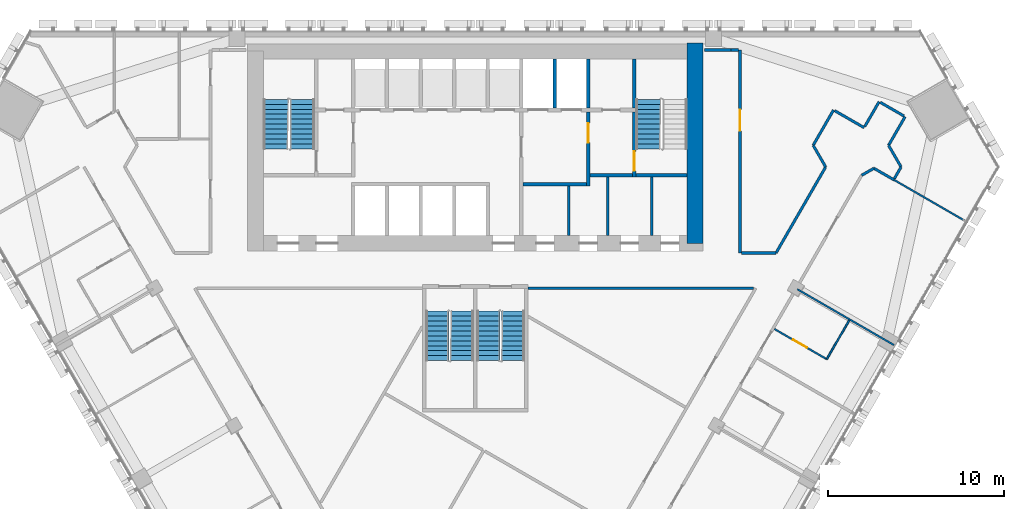
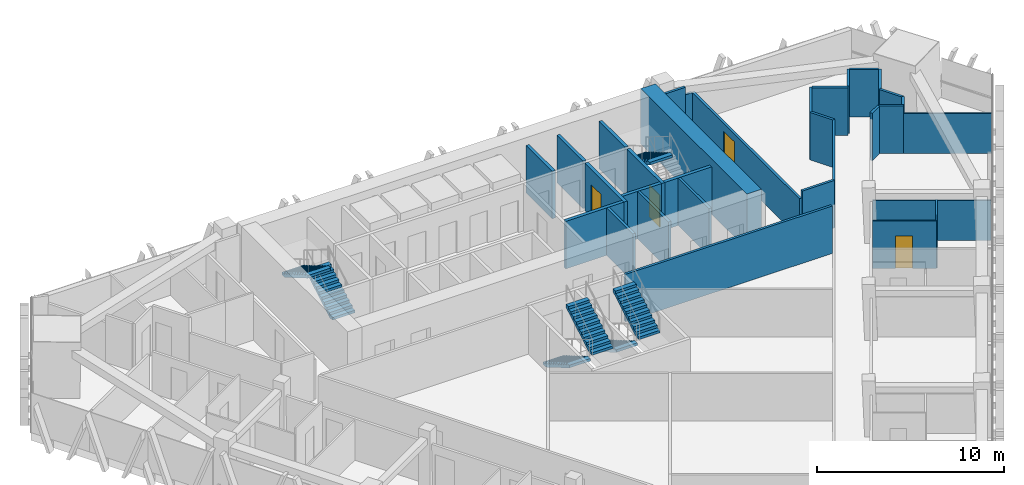
# One storey, part 12 of 16: 32 walls, 7 stair flights, 4 doors, 4 openings, 4 elements without a shape of their own.
"""IFC4 building model written with IfcOpenShell, lengths in metres."""

from ifc_helpers import new_model, si_unit, direction, frame, frame_2d, origin, place, context, subcontext, project, spatial, polyline, rectangle, outline, extrude, material, layer, layer_set, type_object, element, fill, aggregate, save


model = new_model("IFC4")

# Units and contexts
model_context = context("Model", 3, precision=1e-05, world=origin(), true_north=direction((0.0, 1.0)))
body_context = subcontext(model_context, "Body", "Model", "MODEL_VIEW")
ifc_project = project(units=[si_unit("LENGTHUNIT", "METRE"), si_unit("AREAUNIT", "SQUARE_METRE"), si_unit("VOLUMEUNIT", "CUBIC_METRE"), si_unit("PLANEANGLEUNIT", "RADIAN"), si_unit("MASSUNIT", "GRAM", prefix="KILO")], contexts=[model_context])

# Site, building, storey
site_placement = place(None, origin())
site = spatial("IfcSite", under=ifc_project, at=site_placement, CompositionType="ELEMENT")
building_placement = place(site_placement, origin())
building = spatial("IfcBuilding", under=site, at=building_placement, Name="Altiplano Prism Tower", CompositionType="ELEMENT")
storey_placement = place(building_placement, frame((0.0, 0.0, 77.39990234375)))
storey = spatial("IfcBuildingStorey", under=building, at=storey_placement, Name="L19", CompositionType="ELEMENT", Elevation=77.39990234375)

# Walls
ifc_material_1 = material(Name="Concrete C70/85", Category="concrete")
ifc_layer_1 = layer(ifc_material_1, 0.89990234375)
ifc_layer_set_1 = layer_set([ifc_layer_1], Name="Concrete C70/85")
wall_type_1 = type_object("IfcWallType", Name="Core wall 900", PredefinedType="SHEAR", material=ifc_layer_set_1)
wall_1_placement = place(storey_placement, frame((97.449951171875, 92.949951171875, 0.0), z_axis=(0.0, 0.0, 1.0), x_axis=(0.0, 1.0, 0.0)))
element("IfcWall", 1, at=wall_1_placement, inside=storey, type_object=wall_type_1, Name="Core wall E L19", PredefinedType="SHEAR", context=body_context, shape_type="SweptSolid", body=[
    extrude(rectangle(XDim=11.35009765625, YDim=0.89990234375, at=frame_2d((5.675048828125, 0.0))), origin(), (0.0, 0.0, 1.0), 3.60009765625),
])
ifc_material_2 = material(Name="Plasterboard on steel stud", Category="steel")
ifc_layer_2 = layer(ifc_material_2, 0.10009765625)
ifc_layer_set_2 = layer_set([ifc_layer_2], Name="Plasterboard on steel stud")
wall_type_2 = type_object("IfcWallType", Name="Partition 100 unit", PredefinedType="PARTITIONING", material=ifc_layer_set_2)
wall_2_placement = place(storey_placement, frame((106.193603515625, 88.587646484375, 0.0), z_axis=(0.0, 0.0, 1.0), x_axis=(-0.499990435942, -0.866030925526, 0.0)))
element("IfcWall", 2, at=wall_2_placement, inside=storey, type_object=wall_type_2, Name="Partition P02 L19 072", PredefinedType="PARTITIONING", context=body_context, shape_type="SweptSolid", body=[
    extrude(rectangle(XDim=2.5498046875, YDim=0.10009765625, at=frame_2d((1.27490234375, 0.0))), origin(), (0.0, 0.0, 1.0), 2.7001953125),
])

# Wall, opening, door
wall_3_placement = place(storey_placement, frame((104.918701171875, 86.37939453125, 0.0), z_axis=(0.0, 0.0, 1.0), x_axis=(-0.866050272892, 0.499956922968, 0.0)))
wall_3 = element("IfcWall", 3, at=wall_3_placement, inside=storey, type_object=wall_type_2, Name="Partition P02 L19 073", PredefinedType="PARTITIONING", context=body_context, shape_type="SweptSolid", body=[
    extrude(rectangle(XDim=3.425048828125, YDim=0.10009765625, at=frame_2d((1.71240234375, 0.0))), origin(), (0.0, 0.0, 1.0), 3.10009765625),
])
opening_1_placement = place(wall_3_placement, frame((1.300048828125, 0.0, 0.0)))
opening_1 = element("IfcOpeningElement", 4, at=opening_1_placement, cuts=wall_3, Name="Opening D0745", PredefinedType="OPENING", context=body_context, shape_type="SweptSolid", body=[
    extrude(rectangle(XDim=0.89990234375, YDim=2.10009765625, at=frame_2d((0.449951171875, 1.050048828125))), frame((0.0, 0.060546875, 0.0), z_axis=(0.0, -1.0, 0.0), x_axis=(1.0, 0.0, 0.0)), (0.0, 0.0, 1.0), 0.12109375),
])
ifc_material_3 = material(Name="Timber", Category="wood")
door_type_1 = type_object("IfcDoorType", Name="Accessible ensuite door 900 x 2100", OperationType="NOTDEFINED", PredefinedType="NOTDEFINED", material=ifc_material_3)
door_1_placement = place(opening_1_placement, origin())
door_1 = element("IfcDoor", 5, at=door_1_placement, inside=storey, type_object=door_type_1, Name="Door D0745", OperationType="SINGLE_SWING_RIGHT", OverallHeight=2.10009765625, OverallWidth=0.89990234375, PredefinedType="NOTDEFINED", context=body_context, shape_type="SweptSolid", body=[
    extrude(rectangle(XDim=0.89990234375, YDim=2.10009765625, at=frame_2d((0.449951171875, 1.050048828125))), frame((0.0, 0.02490234375, 0.0), z_axis=(0.0, -1.0, 0.0), x_axis=(1.0, 0.0, 0.0)), (0.0, 0.0, 1.0), 0.050048828125),
])
fill(opening_1, door_1)

# Walls
ifc_layer_3 = layer(ifc_material_2, 0.10009765625)
ifc_layer_set_3 = layer_set([ifc_layer_3], Name="Plasterboard on steel stud")
wall_type_3 = type_object("IfcWallType", Name="Partition 100 wet", PredefinedType="PARTITIONING", material=ifc_layer_set_3)
wall_4_placement = place(storey_placement, frame((108.72998046875, 87.180908203125, 0.0), z_axis=(0.0, 0.0, 1.0), x_axis=(-0.866015887322, 0.500016482634, 0.0)))
element("IfcWall", 6, at=wall_4_placement, inside=storey, type_object=wall_type_3, Name="Partition P03 L19 074", PredefinedType="PARTITIONING", context=body_context, shape_type="SweptSolid", body=[
    extrude(rectangle(XDim=6.324951171875, YDim=0.10009765625, at=frame_2d((3.16259765625, 0.0))), origin(), (0.0, 0.0, 1.0), 2.60009765625),
])
wall_5_placement = place(storey_placement, frame((112.80029296875, 94.1904296875, 0.0), z_axis=(0.0, 0.0, 1.0), x_axis=(-0.866028828302, 0.499994068514, 0.0)))
element("IfcWall", 7, at=wall_5_placement, inside=storey, type_object=wall_type_3, Name="Partition P03 L19 075", PredefinedType="PARTITIONING", context=body_context, shape_type="SweptSolid", body=[
    extrude(rectangle(XDim=4.72021484375, YDim=0.10009765625, at=frame_2d((2.360107421875, 0.0))), origin(), (0.0, 0.0, 1.0), 2.60009765625),
])
ifc_layer_4 = layer(ifc_material_2, 0.14990234375)
ifc_layer_set_4 = layer_set([ifc_layer_4], Name="Plasterboard on steel stud")
wall_type_4 = type_object("IfcWallType", Name="Partition 150 corridor", PredefinedType="PARTITIONING", material=ifc_layer_set_4)
wall_6_placement = place(storey_placement, frame((106.892333984375, 96.7978515625, 0.0), z_axis=(0.0, 0.0, 1.0), x_axis=(0.867776287215, 0.496955043587, 0.0)))
element("IfcWall", 8, at=wall_6_placement, inside=storey, type_object=wall_type_4, Name="Partition P06 L19 013", PredefinedType="PARTITIONING", context=body_context, shape_type="SweptSolid", body=[
    extrude(rectangle(XDim=0.80517578125, YDim=0.14990234375, at=frame_2d((0.402587890625, 0.0))), origin(), (0.0, 0.0, 1.0), 3.10009765625),
])
wall_7_placement = place(storey_placement, frame((107.591064453125, 97.197998046875, 0.0), z_axis=(0.0, 0.0, 1.0), x_axis=(0.866006239939, -0.500033191285, 0.0)))
element("IfcWall", 9, at=wall_7_placement, inside=storey, type_object=wall_type_4, Name="Partition P06 L19 014", PredefinedType="PARTITIONING", context=body_context, shape_type="SweptSolid", body=[
    extrude(rectangle(XDim=1.31494140625, YDim=0.14990234375, at=frame_2d((0.657470703125, 0.0))), origin(), (0.0, 0.0, 1.0), 3.10009765625),
])
wall_8_placement = place(storey_placement, frame((108.75, 96.615478515625, 0.0), z_axis=(0.0, 0.0, 1.0), x_axis=(0.500047204294, 0.865998148658, 0.0)))
element("IfcWall", 10, at=wall_8_placement, inside=storey, type_object=wall_type_4, Name="Partition P06 L19 018", PredefinedType="PARTITIONING", context=body_context, shape_type="SweptSolid", body=[
    extrude(rectangle(XDim=0.75927734375, YDim=0.14990234375, at=frame_2d((0.379638671875, 0.0))), origin(), (0.0, 0.0, 1.0), 3.10009765625),
])
wall_9_placement = place(storey_placement, frame((109.129638671875, 97.27294921875, 0.0), z_axis=(0.0, 0.0, 1.0), x_axis=(-0.500030697692, 0.866007679738, 0.0)))
element("IfcWall", 11, at=wall_9_placement, inside=storey, type_object=wall_type_4, Name="Partition P06 L19 019", PredefinedType="PARTITIONING", context=body_context, shape_type="SweptSolid", body=[
    extrude(rectangle(XDim=1.4169921875, YDim=0.14990234375, at=frame_2d((0.70849609375, 0.0))), origin(), (0.0, 0.0, 1.0), 3.10009765625),
])
wall_10_placement = place(storey_placement, frame((108.421142578125, 98.5, 0.0), z_axis=(0.0, 0.0, 1.0), x_axis=(0.499951854219, 0.86605319898, 0.0)))
element("IfcWall", 12, at=wall_10_placement, inside=storey, type_object=wall_type_4, Name="Partition P06 L19 020", PredefinedType="PARTITIONING", context=body_context, shape_type="SweptSolid", body=[
    extrude(rectangle(XDim=1.873291015625, YDim=0.14990234375, at=frame_2d((0.9365234375, 0.0))), origin(), (0.0, 0.0, 1.0), 3.10009765625),
])
wall_11_placement = place(storey_placement, frame((109.292724609375, 100.15966796875, 0.0), z_axis=(0.0, 0.0, 1.0), x_axis=(-0.865975732936, 0.500086022567, 0.0)))
element("IfcWall", 13, at=wall_11_placement, inside=storey, type_object=wall_type_4, Name="Partition P06 L19 021", PredefinedType="PARTITIONING", context=body_context, shape_type="SweptSolid", body=[
    extrude(rectangle(XDim=1.550048828125, YDim=0.14990234375, at=frame_2d((0.77490234375, 0.0))), origin(), (0.0, 0.0, 1.0), 3.10009765625),
])
wall_12_placement = place(storey_placement, frame((107.885498046875, 100.97216796875, 0.0), z_axis=(0.0, 0.0, 1.0), x_axis=(-0.500017246033, -0.866015446554, 0.0)))
element("IfcWall", 14, at=wall_12_placement, inside=storey, type_object=wall_type_4, Name="Partition P06 L19 022", PredefinedType="PARTITIONING", context=body_context, shape_type="SweptSolid", body=[
    extrude(rectangle(XDim=1.625, YDim=0.14990234375, at=frame_2d((0.8125, 0.0))), origin(), (0.0, 0.0, 1.0), 3.10009765625),
])
wall_13_placement = place(storey_placement, frame((107.035400390625, 99.5, 0.0), z_axis=(0.0, 0.0, 1.0), x_axis=(-0.866033512162, 0.499985955615, 0.0)))
element("IfcWall", 15, at=wall_13_placement, inside=storey, type_object=wall_type_4, Name="Partition P06 L19 023", PredefinedType="PARTITIONING", context=body_context, shape_type="SweptSolid", body=[
    extrude(rectangle(XDim=1.9248046875, YDim=0.14990234375, at=frame_2d((0.96240234375, 0.0))), origin(), (0.0, 0.0, 1.0), 3.10009765625),
])
wall_14_placement = place(storey_placement, frame((105.303466796875, 100.5, 0.0), z_axis=(0.0, 0.0, 1.0), x_axis=(-0.500027479704, -0.866009537788, 0.0)))
element("IfcWall", 16, at=wall_14_placement, inside=storey, type_object=wall_type_4, Name="Partition P06 L19 024", PredefinedType="PARTITIONING", context=body_context, shape_type="SweptSolid", body=[
    extrude(rectangle(XDim=2.309326171875, YDim=0.14990234375, at=frame_2d((1.15478515625, 0.0))), origin(), (0.0, 0.0, 1.0), 3.10009765625),
])
wall_15_placement = place(storey_placement, frame((104.148681640625, 98.5, 0.0), z_axis=(0.0, 0.0, 1.0), x_axis=(0.500030697692, -0.866007679738, 0.0)))
element("IfcWall", 17, at=wall_15_placement, inside=storey, type_object=wall_type_4, Name="Partition P06 L19 025", PredefinedType="PARTITIONING", context=body_context, shape_type="SweptSolid", body=[
    extrude(rectangle(XDim=1.4169921875, YDim=0.14990234375, at=frame_2d((0.70849609375, 0.0))), origin(), (0.0, 0.0, 1.0), 3.10009765625),
])
wall_16_placement = place(storey_placement, frame((104.857177734375, 97.27294921875, 0.0), z_axis=(0.0, 0.0, 1.0), x_axis=(-0.500002884005, -0.866023738697, 0.0)))
element("IfcWall", 18, at=wall_16_placement, inside=storey, type_object=wall_type_4, Name="Partition P06 L19 026", PredefinedType="PARTITIONING", context=body_context, shape_type="SweptSolid", body=[
    extrude(rectangle(XDim=5.626953125, YDim=0.14990234375, at=frame_2d((2.8134765625, 0.0))), origin(), (0.0, 0.0, 1.0), 3.10009765625),
])
wall_17_placement = place(storey_placement, frame((102.043701171875, 92.39990234375, 0.0), z_axis=(0.0, 0.0, 1.0), x_axis=(-1.0, 0.0, 0.0)))
element("IfcWall", 19, at=wall_17_placement, inside=storey, type_object=wall_type_4, Name="Partition P06 L19 027", PredefinedType="PARTITIONING", context=body_context, shape_type="SweptSolid", body=[
    extrude(rectangle(XDim=1.96875, YDim=0.14990234375, at=frame_2d((0.984375, 0.0))), origin(), (0.0, 0.0, 1.0), 3.10009765625),
])

# Wall, opening, door
wall_18_placement = place(storey_placement, frame((100.0, 92.39990234375, 0.0), z_axis=(0.0, 0.0, 1.0), x_axis=(0.0, 1.0, 0.0)))
wall_18 = element("IfcWall", 20, at=wall_18_placement, inside=storey, type_object=wall_type_4, Name="Partition P06 L19 028", PredefinedType="PARTITIONING", context=body_context, shape_type="SweptSolid", body=[
    extrude(rectangle(XDim=11.5, YDim=0.14990234375, at=frame_2d((5.75, 0.0))), origin(), (0.0, 0.0, 1.0), 2.60009765625),
])
opening_2_placement = place(wall_18_placement, frame((6.9150390625, 0.0, 0.0)))
opening_2 = element("IfcOpeningElement", 21, at=opening_2_placement, cuts=wall_18, Name="Opening D0750", PredefinedType="OPENING", context=body_context, shape_type="SweptSolid", body=[
    extrude(rectangle(XDim=1.199951171875, YDim=2.10009765625, at=frame_2d((0.60009765625, 1.050048828125))), frame((0.0, 0.08544921875, 0.0), z_axis=(0.0, -1.0, 0.0), x_axis=(1.0, 0.0, 0.0)), (0.0, 0.0, 1.0), 0.1708984375),
])
door_type_2 = type_object("IfcDoorType", Name="Shared room door 1200 x 2100", OperationType="NOTDEFINED", PredefinedType="NOTDEFINED", material=ifc_material_3)
door_2_placement = place(opening_2_placement, origin())
door_2 = element("IfcDoor", 22, at=door_2_placement, inside=storey, type_object=door_type_2, Name="Door D0750", OperationType="SINGLE_SWING_LEFT", OverallHeight=2.10009765625, OverallWidth=1.199951171875, PredefinedType="NOTDEFINED", context=body_context, shape_type="SweptSolid", body=[
    extrude(rectangle(XDim=1.199951171875, YDim=2.10009765625, at=frame_2d((0.60009765625, 1.050048828125))), frame((0.0, 0.02490234375, 0.0), z_axis=(0.0, -1.0, 0.0), x_axis=(1.0, 0.0, 0.0)), (0.0, 0.0, 1.0), 0.050048828125),
])
fill(opening_2, door_2)

# Walls
wall_19_placement = place(storey_placement, frame((99.925048828125, 103.89990234375, 0.0), z_axis=(0.0, 0.0, 1.0), x_axis=(-1.0, 0.0, 0.0)))
element("IfcWall", 23, at=wall_19_placement, inside=storey, type_object=wall_type_4, Name="Partition P06 L19 029", PredefinedType="PARTITIONING", context=body_context, shape_type="SweptSolid", body=[
    extrude(rectangle(XDim=0.43359375, YDim=0.14990234375, at=frame_2d((0.216796875, 0.0))), origin(), (0.0, 0.0, 1.0), 2.60009765625),
])
wall_20_placement = place(storey_placement, frame((99.491455078125, 103.89990234375, 0.0), z_axis=(0.0, 0.0, 1.0), x_axis=(-1.0, 0.0, 0.0)))
element("IfcWall", 24, at=wall_20_placement, inside=storey, type_object=wall_type_4, Name="Partition P06 L19 030", PredefinedType="PARTITIONING", context=body_context, shape_type="SweptSolid", body=[
    extrude(rectangle(XDim=1.491455078125, YDim=0.14990234375, at=frame_2d((0.74560546875, 0.0))), origin(), (0.0, 0.0, 1.0), 3.10009765625),
])
wall_21_placement = place(storey_placement, frame((88.0, 90.39990234375, 0.0), z_axis=(0.0, 0.0, 1.0), x_axis=(1.0, 0.0, 0.0)))
element("IfcWall", 25, at=wall_21_placement, inside=storey, type_object=wall_type_4, Name="Partition P06 L19 031", PredefinedType="PARTITIONING", context=body_context, shape_type="SweptSolid", body=[
    extrude(rectangle(XDim=12.75927734375, YDim=0.14990234375, at=frame_2d((6.379638671875, 0.0))), origin(), (0.0, 0.0, 1.0), 3.10009765625),
])
ifc_material_4 = material(Name="Fire-rated gypsum board partition")
ifc_layer_5 = layer(ifc_material_4, 0.14990234375)
ifc_layer_set_5 = layer_set([ifc_layer_5], Name="Fire-rated gypsum board partition")
wall_type_5 = type_object("IfcWallType", Name="Room partition 150", PredefinedType="PARTITIONING", material=ifc_layer_set_5)
wall_22_placement = place(storey_placement, frame((90.300048828125, 93.39990234375, 0.0), z_axis=(0.0, 0.0, 1.0), x_axis=(0.0, 1.0, 0.0)))
element("IfcWall", 26, at=wall_22_placement, inside=storey, type_object=wall_type_5, Name="Room partition L19", PredefinedType="PARTITIONING", context=body_context, shape_type="SweptSolid", body=[
    extrude(rectangle(XDim=2.800048828125, YDim=0.14990234375, at=frame_2d((1.39990234375, 0.0))), origin(), (0.0, 0.0, 1.0), 3.10009765625),
])
for number, where, z_axis, x_axis, name in (
    (27, (92.5, 93.39990234375, 0.0), (0.0, 0.0, 1.0), (0.0, 1.0, 0.0), "Room partition L19"),
    (28, (95.0, 93.39990234375, 0.0), (0.0, 0.0, 1.0), (0.0, 1.0, 0.0), "Room partition L19"),
):
    element("IfcWall", number, at=place(storey_placement, frame(where, z_axis=z_axis, x_axis=x_axis)), inside=storey, type_object=wall_type_5, Name=name, PredefinedType="PARTITIONING", context=body_context, shape_type="SweptSolid", body=[
        extrude(rectangle(XDim=3.300048828125, YDim=0.14990234375, at=frame_2d((1.64990234375, 0.0))), origin(), (0.0, 0.0, 1.0), 3.10009765625),
    ])
ifc_material_5 = material(Name="Concrete C60/75", Category="concrete")
ifc_layer_6 = layer(ifc_material_5, 0.199951171875)
ifc_layer_set_6 = layer_set([ifc_layer_6], Name="Concrete C60/75")
wall_type_6 = type_object("IfcWallType", Name="Shaft wall 200", PredefinedType="SOLIDWALL", material=ifc_layer_set_6)
for number, where, z_axis, x_axis, name in (
    (29, (89.5, 100.60009765625, 0.0), (0.0, 0.0, 1.0), (0.0, 1.0, 0.0), "Shaft wall L19"),
    (30, (91.39990234375, 100.60009765625, 0.0), (0.0, 0.0, 1.0), (0.0, 1.0, 0.0), "Shaft wall L19"),
):
    element("IfcWall", number, at=place(storey_placement, frame(where, z_axis=z_axis, x_axis=x_axis)), inside=storey, type_object=wall_type_6, Name=name, PredefinedType="SOLIDWALL", context=body_context, shape_type="SweptSolid", body=[
        extrude(rectangle(XDim=2.7998046875, YDim=0.199951171875, at=frame_2d((1.39990234375, 0.0))), origin(), (0.0, 0.0, 1.0), 3.10009765625),
    ])

# Wall, opening, door
ifc_layer_7 = layer(ifc_material_5, 0.199951171875)
ifc_layer_set_7 = layer_set([ifc_layer_7], Name="Concrete C60/75")
wall_type_7 = type_object("IfcWallType", Name="Stair wall 200", PredefinedType="SOLIDWALL", material=ifc_layer_set_7)
wall_23_placement = place(storey_placement, frame((94.0, 96.699951171875, 0.0), z_axis=(0.0, 0.0, 1.0), x_axis=(0.0, 1.0, 0.0)))
wall_23 = element("IfcWall", 31, at=wall_23_placement, inside=storey, type_object=wall_type_7, Name="Stair wall L19", PredefinedType="SOLIDWALL", context=body_context, shape_type="SweptSolid", body=[
    extrude(rectangle(XDim=3.699951171875, YDim=0.199951171875, at=frame_2d((1.85009765625, 0.0))), origin(), (0.0, 0.0, 1.0), 3.10009765625),
])
opening_3_placement = place(wall_23_placement, frame((0.35009765625, 0.0, 0.0)))
opening_3 = element("IfcOpeningElement", 32, at=opening_3_placement, cuts=wall_23, Name="Opening D2842", PredefinedType="OPENING", context=body_context, shape_type="SweptSolid", body=[
    extrude(rectangle(XDim=1.10009765625, YDim=2.10009765625, at=frame_2d((0.550048828125, 1.050048828125))), frame((0.0, 0.1103515625, 0.0), z_axis=(0.0, -1.0, 0.0), x_axis=(1.0, 0.0, 0.0)), (0.0, 0.0, 1.0), 0.220947265625),
])
ifc_material_6 = material(Name="Fire-rated steel door", Category="steel")
door_type_3 = type_object("IfcDoorType", Name="Stair fire door 1100 x 2100", OperationType="NOTDEFINED", PredefinedType="NOTDEFINED", material=ifc_material_6)
door_3_placement = place(opening_3_placement, origin())
door_3 = element("IfcDoor", 33, at=door_3_placement, inside=storey, type_object=door_type_3, Name="Stair fire door D2842", OperationType="SINGLE_SWING_LEFT", OverallHeight=2.10009765625, OverallWidth=1.10009765625, PredefinedType="NOTDEFINED", context=body_context, shape_type="SweptSolid", body=[
    extrude(rectangle(XDim=1.10009765625, YDim=2.10009765625, at=frame_2d((0.550048828125, 1.050048828125))), frame((0.0, 0.02490234375, 0.0), z_axis=(0.0, -1.0, 0.0), x_axis=(1.0, 0.0, 0.0)), (0.0, 0.0, 1.0), 0.050048828125),
])
fill(opening_3, door_3)

# Walls
wall_24_placement = place(storey_placement, frame((94.10009765625, 96.800048828125, 0.0), z_axis=(0.0, 0.0, 1.0), x_axis=(1.0, 0.0, 0.0)))
element("IfcWall", 34, at=wall_24_placement, inside=storey, type_object=wall_type_7, Name="Stair wall L19", PredefinedType="SOLIDWALL", context=body_context, shape_type="SweptSolid", body=[
    extrude(rectangle(XDim=2.89990234375, YDim=0.199951171875, at=frame_2d((1.449951171875, 0.0))), origin(), (0.0, 0.0, 1.0), 3.10009765625),
])
wall_25_placement = place(storey_placement, frame((94.0, 100.60009765625, 0.0), z_axis=(0.0, 0.0, 1.0), x_axis=(0.0, 1.0, 0.0)))
element("IfcWall", 35, at=wall_25_placement, inside=storey, type_object=wall_type_7, Name="Stair wall L19", PredefinedType="SOLIDWALL", context=body_context, shape_type="SweptSolid", body=[
    extrude(rectangle(XDim=2.7998046875, YDim=0.199951171875, at=frame_2d((1.39990234375, 0.0))), origin(), (0.0, 0.0, 1.0), 3.10009765625),
])
ifc_layer_8 = layer(ifc_material_5, 0.199951171875)
ifc_layer_set_8 = layer_set([ifc_layer_8], Name="Concrete C60/75")
wall_type_8 = type_object("IfcWallType", Name="Vestibule wall 200", PredefinedType="PARTITIONING", material=ifc_layer_set_8)
wall_26_placement = place(storey_placement, frame((87.699951171875, 96.300048828125, 0.0), z_axis=(0.0, 0.0, 1.0), x_axis=(1.0, 0.0, 0.0)))
element("IfcWall", 36, at=wall_26_placement, inside=storey, type_object=wall_type_8, Name="Vestibule wall L19", PredefinedType="PARTITIONING", context=body_context, shape_type="SweptSolid", body=[
    extrude(rectangle(XDim=3.60009765625, YDim=0.199951171875, at=frame_2d((1.800048828125, 0.0))), origin(), (0.0, 0.0, 1.0), 3.10009765625),
])

# Wall, opening, door
wall_27_placement = place(storey_placement, frame((91.39990234375, 96.199951171875, 0.0), z_axis=(0.0, 0.0, 1.0), x_axis=(0.0, 1.0, 0.0)))
wall_27 = element("IfcWall", 37, at=wall_27_placement, inside=storey, type_object=wall_type_8, Name="Vestibule wall L19", PredefinedType="PARTITIONING", context=body_context, shape_type="SweptSolid", body=[
    extrude(rectangle(XDim=4.199951171875, YDim=0.199951171875, at=frame_2d((2.10009765625, 0.0))), origin(), (0.0, 0.0, 1.0), 3.10009765625),
])
opening_4_placement = place(wall_27_placement, frame((2.449951171875, 0.0, 0.0)))
opening_4 = element("IfcOpeningElement", 38, at=opening_4_placement, cuts=wall_27, Name="Opening D2845", PredefinedType="OPENING", context=body_context, shape_type="SweptSolid", body=[
    extrude(rectangle(XDim=1.10009765625, YDim=2.10009765625, at=frame_2d((0.550048828125, 1.050048828125))), frame((0.0, 0.1103515625, 0.0), z_axis=(0.0, -1.0, 0.0), x_axis=(1.0, 0.0, 0.0)), (0.0, 0.0, 1.0), 0.220947265625),
])
door_type_4 = type_object("IfcDoorType", Name="Vestibule fire door 1100 x 2100", OperationType="NOTDEFINED", PredefinedType="NOTDEFINED", material=ifc_material_6)
door_4_placement = place(opening_4_placement, origin())
door_4 = element("IfcDoor", 39, at=door_4_placement, inside=storey, type_object=door_type_4, Name="Vestibule fire door D2845", OperationType="SINGLE_SWING_LEFT", OverallHeight=2.10009765625, OverallWidth=1.10009765625, PredefinedType="NOTDEFINED", context=body_context, shape_type="SweptSolid", body=[
    extrude(rectangle(XDim=1.10009765625, YDim=2.10009765625, at=frame_2d((0.550048828125, 1.050048828125))), frame((0.0, 0.02490234375, 0.0), z_axis=(0.0, -1.0, 0.0), x_axis=(1.0, 0.0, 0.0)), (0.0, 0.0, 1.0), 0.050048828125),
])
fill(opening_4, door_4)

# Wall
wall_28_placement = place(storey_placement, frame((91.5, 96.800048828125, 0.0), z_axis=(0.0, 0.0, 1.0), x_axis=(1.0, 0.0, 0.0)))
element("IfcWall", 40, at=wall_28_placement, inside=storey, type_object=wall_type_8, Name="Vestibule wall L19", PredefinedType="PARTITIONING", context=body_context, shape_type="SweptSolid", body=[
    extrude(rectangle(XDim=2.39990234375, YDim=0.199951171875, at=frame_2d((1.199951171875, 0.0))), origin(), (0.0, 0.0, 1.0), 3.10009765625),
])

# Stair, stair flights
ifc_material_7 = material(Name="Concrete C40/50", Category="concrete")
stair_type_1 = type_object("IfcStairType", Name="Exit stair 1400", PredefinedType="HALF_TURN_STAIR", material=ifc_material_7)
stair_1_placement = place(storey_placement, origin())
stair_1 = element("IfcStair", 41, at=stair_1_placement, inside=storey, type_object=stair_type_1, Name="L19 Exit Stair 1", PredefinedType="HALF_TURN_STAIR")
stair_flight_type = type_object("IfcStairFlightType", Name="Stair flight concrete 150", PredefinedType="STRAIGHT", material=ifc_material_7)
stair_flight_1_placement = place(storey_placement, frame((75.199951171875, 98.300048828125, 0.0), z_axis=(0.0, 0.0, 1.0), x_axis=(0.0, 1.0, 0.0)))
stair_flight_1 = element("IfcStairFlight", 42, at=stair_flight_1_placement, type_object=stair_flight_type, Name="ST1 flight 1", NumberOfRisers=11, NumberOfTreads=10, PredefinedType="STRAIGHT", RiserHeight=0.163636364, TreadLength=0.28, context=body_context, shape_type="SweptSolid", body=[
    extrude(outline(polyline([(0.0, 0.0), (0.0, 0.16357421875), (0.280029296875, 0.16357421875), (0.280029296875, 0.327392578125), (0.56005859375, 0.327392578125), (0.56005859375, 0.490966796875), (0.840087890625, 0.490966796875), (0.840087890625, 0.654541015625), (1.1201171875, 0.654541015625), (1.1201171875, 0.818115234375), (1.39990234375, 0.818115234375), (1.39990234375, 0.98193359375), (1.679931640625, 0.98193359375), (1.679931640625, 1.1455078125), (1.9599609375, 1.1455078125), (1.9599609375, 1.30908203125), (2.239990234375, 1.30908203125), (2.239990234375, 1.47265625), (2.52001953125, 1.47265625), (2.52001953125, 1.636474609375), (2.800048828125, 1.636474609375), (2.800048828125, 1.800048828125), (2.800048828125, 1.462646484375), (0.297119140625, 0.0), (0.0, 0.0)])), frame((0.0, 0.699951171875, 0.0), z_axis=(0.0, -1.0, 0.0), x_axis=(1.0, 0.0, 0.0)), (0.0, 0.0, 1.0), 1.39990234375),
])
stair_flight_2_placement = place(storey_placement, frame((73.699951171875, 101.10009765625, 1.800048828125), z_axis=(0.0, 0.0, 1.0), x_axis=(0.0, -1.0, 0.0)))
stair_flight_2 = element("IfcStairFlight", 43, at=stair_flight_2_placement, type_object=stair_flight_type, Name="ST1 flight 2", NumberOfRisers=11, NumberOfTreads=10, PredefinedType="STRAIGHT", RiserHeight=0.163636364, TreadLength=0.28, context=body_context, shape_type="SweptSolid", body=[
    extrude(outline(polyline([(0.0, 0.0), (0.0, 0.16357421875), (0.280029296875, 0.16357421875), (0.280029296875, 0.327392578125), (0.56005859375, 0.327392578125), (0.56005859375, 0.490966796875), (0.840087890625, 0.490966796875), (0.840087890625, 0.654541015625), (1.1201171875, 0.654541015625), (1.1201171875, 0.818115234375), (1.39990234375, 0.818115234375), (1.39990234375, 0.98193359375), (1.679931640625, 0.98193359375), (1.679931640625, 1.1455078125), (1.9599609375, 1.1455078125), (1.9599609375, 1.30908203125), (2.239990234375, 1.30908203125), (2.239990234375, 1.47265625), (2.52001953125, 1.47265625), (2.52001953125, 1.636474609375), (2.800048828125, 1.636474609375), (2.800048828125, 1.800048828125), (2.800048828125, 1.462646484375), (0.297119140625, 0.0), (0.0, 0.0)])), frame((0.0, 0.699951171875, 0.0), z_axis=(0.0, -1.0, 0.0), x_axis=(1.0, 0.0, 0.0)), (0.0, 0.0, 1.0), 1.39990234375),
])
aggregate(stair_1, [stair_flight_1, stair_flight_2])

# Stair, stair flight
stair_2_placement = place(storey_placement, origin())
stair_2 = element("IfcStair", 44, at=stair_2_placement, inside=storey, type_object=stair_type_1, Name="L19 Exit Stair 2", PredefinedType="HALF_TURN_STAIR")
stair_flight_3_placement = place(storey_placement, frame((94.800048828125, 101.10009765625, 1.800048828125), z_axis=(0.0, 0.0, 1.0), x_axis=(0.0, -1.0, 0.0)))
stair_flight_3 = element("IfcStairFlight", 45, at=stair_flight_3_placement, type_object=stair_flight_type, Name="ST2 flight 2", NumberOfRisers=11, NumberOfTreads=10, PredefinedType="STRAIGHT", RiserHeight=0.163636364, TreadLength=0.28, context=body_context, shape_type="SweptSolid", body=[
    extrude(outline(polyline([(0.0, 0.0), (0.0, 0.16357421875), (0.280029296875, 0.16357421875), (0.280029296875, 0.327392578125), (0.56005859375, 0.327392578125), (0.56005859375, 0.490966796875), (0.840087890625, 0.490966796875), (0.840087890625, 0.654541015625), (1.1201171875, 0.654541015625), (1.1201171875, 0.818115234375), (1.39990234375, 0.818115234375), (1.39990234375, 0.98193359375), (1.679931640625, 0.98193359375), (1.679931640625, 1.1455078125), (1.9599609375, 1.1455078125), (1.9599609375, 1.30908203125), (2.239990234375, 1.30908203125), (2.239990234375, 1.47265625), (2.52001953125, 1.47265625), (2.52001953125, 1.636474609375), (2.800048828125, 1.636474609375), (2.800048828125, 1.800048828125), (2.800048828125, 1.462646484375), (0.297119140625, 0.0), (0.0, 0.0)])), frame((0.0, 0.699951171875, 0.0), z_axis=(0.0, -1.0, 0.0), x_axis=(1.0, 0.0, 0.0)), (0.0, 0.0, 1.0), 1.39990234375),
])
aggregate(stair_2, [stair_flight_3])

# Stair, stair flights
stair_type_2 = type_object("IfcStairType", Name="Exit stair 1300", PredefinedType="HALF_TURN_STAIR", material=ifc_material_7)
stair_3_placement = place(storey_placement, origin())
stair_3 = element("IfcStair", 46, at=stair_3_placement, inside=storey, type_object=stair_type_2, Name="L19 Exit Stair 3A", PredefinedType="HALF_TURN_STAIR")
stair_flight_4_placement = place(storey_placement, frame((82.85009765625, 89.10009765625, 0.0), z_axis=(0.0, 0.0, 1.0), x_axis=(0.0, -1.0, 0.0)))
stair_flight_4 = element("IfcStairFlight", 47, at=stair_flight_4_placement, type_object=stair_flight_type, Name="ST3A flight 1", NumberOfRisers=11, NumberOfTreads=10, PredefinedType="STRAIGHT", RiserHeight=0.163636364, TreadLength=0.28, context=body_context, shape_type="SweptSolid", body=[
    extrude(outline(polyline([(0.0, 0.0), (0.0, 0.16357421875), (0.280029296875, 0.16357421875), (0.280029296875, 0.327392578125), (0.56005859375, 0.327392578125), (0.56005859375, 0.490966796875), (0.840087890625, 0.490966796875), (0.840087890625, 0.654541015625), (1.1201171875, 0.654541015625), (1.1201171875, 0.818115234375), (1.39990234375, 0.818115234375), (1.39990234375, 0.98193359375), (1.679931640625, 0.98193359375), (1.679931640625, 1.1455078125), (1.9599609375, 1.1455078125), (1.9599609375, 1.30908203125), (2.239990234375, 1.30908203125), (2.239990234375, 1.47265625), (2.52001953125, 1.47265625), (2.52001953125, 1.636474609375), (2.800048828125, 1.636474609375), (2.800048828125, 1.800048828125), (2.800048828125, 1.462646484375), (0.297119140625, 0.0), (0.0, 0.0)])), frame((0.0, 0.64990234375, 0.0), z_axis=(0.0, -1.0, 0.0), x_axis=(1.0, 0.0, 0.0)), (0.0, 0.0, 1.0), 1.300048828125),
])
stair_flight_5_placement = place(storey_placement, frame((84.25, 86.300048828125, 1.800048828125), z_axis=(0.0, 0.0, 1.0), x_axis=(0.0, 1.0, 0.0)))
stair_flight_5 = element("IfcStairFlight", 48, at=stair_flight_5_placement, type_object=stair_flight_type, Name="ST3A flight 2", NumberOfRisers=11, NumberOfTreads=10, PredefinedType="STRAIGHT", RiserHeight=0.163636364, TreadLength=0.28, context=body_context, shape_type="SweptSolid", body=[
    extrude(outline(polyline([(0.0, 0.0), (0.0, 0.16357421875), (0.280029296875, 0.16357421875), (0.280029296875, 0.327392578125), (0.56005859375, 0.327392578125), (0.56005859375, 0.490966796875), (0.840087890625, 0.490966796875), (0.840087890625, 0.654541015625), (1.1201171875, 0.654541015625), (1.1201171875, 0.818115234375), (1.39990234375, 0.818115234375), (1.39990234375, 0.98193359375), (1.679931640625, 0.98193359375), (1.679931640625, 1.1455078125), (1.9599609375, 1.1455078125), (1.9599609375, 1.30908203125), (2.239990234375, 1.30908203125), (2.239990234375, 1.47265625), (2.52001953125, 1.47265625), (2.52001953125, 1.636474609375), (2.800048828125, 1.636474609375), (2.800048828125, 1.800048828125), (2.800048828125, 1.462646484375), (0.297119140625, 0.0), (0.0, 0.0)])), frame((0.0, 0.64990234375, 0.0), z_axis=(0.0, -1.0, 0.0), x_axis=(1.0, 0.0, 0.0)), (0.0, 0.0, 1.0), 1.300048828125),
])
aggregate(stair_3, [stair_flight_4, stair_flight_5])

stair_4_placement = place(storey_placement, origin())
stair_4 = element("IfcStair", 49, at=stair_4_placement, inside=storey, type_object=stair_type_2, Name="L19 Exit Stair 3B", PredefinedType="HALF_TURN_STAIR")
stair_flight_6_placement = place(storey_placement, frame((85.75, 89.10009765625, 0.0), z_axis=(0.0, 0.0, 1.0), x_axis=(0.0, -1.0, 0.0)))
stair_flight_6 = element("IfcStairFlight", 50, at=stair_flight_6_placement, type_object=stair_flight_type, Name="ST3B flight 1", NumberOfRisers=11, NumberOfTreads=10, PredefinedType="STRAIGHT", RiserHeight=0.163636364, TreadLength=0.28, context=body_context, shape_type="SweptSolid", body=[
    extrude(outline(polyline([(0.0, 0.0), (0.0, 0.16357421875), (0.280029296875, 0.16357421875), (0.280029296875, 0.327392578125), (0.56005859375, 0.327392578125), (0.56005859375, 0.490966796875), (0.840087890625, 0.490966796875), (0.840087890625, 0.654541015625), (1.1201171875, 0.654541015625), (1.1201171875, 0.818115234375), (1.39990234375, 0.818115234375), (1.39990234375, 0.98193359375), (1.679931640625, 0.98193359375), (1.679931640625, 1.1455078125), (1.9599609375, 1.1455078125), (1.9599609375, 1.30908203125), (2.239990234375, 1.30908203125), (2.239990234375, 1.47265625), (2.52001953125, 1.47265625), (2.52001953125, 1.636474609375), (2.800048828125, 1.636474609375), (2.800048828125, 1.800048828125), (2.800048828125, 1.462646484375), (0.297119140625, 0.0), (0.0, 0.0)])), frame((0.0, 0.64990234375, 0.0), z_axis=(0.0, -1.0, 0.0), x_axis=(1.0, 0.0, 0.0)), (0.0, 0.0, 1.0), 1.300048828125),
])
stair_flight_7_placement = place(storey_placement, frame((87.14990234375, 86.300048828125, 1.800048828125), z_axis=(0.0, 0.0, 1.0), x_axis=(0.0, 1.0, 0.0)))
stair_flight_7 = element("IfcStairFlight", 51, at=stair_flight_7_placement, type_object=stair_flight_type, Name="ST3B flight 2", NumberOfRisers=11, NumberOfTreads=10, PredefinedType="STRAIGHT", RiserHeight=0.163636364, TreadLength=0.28, context=body_context, shape_type="SweptSolid", body=[
    extrude(outline(polyline([(0.0, 0.0), (0.0, 0.16357421875), (0.280029296875, 0.16357421875), (0.280029296875, 0.327392578125), (0.56005859375, 0.327392578125), (0.56005859375, 0.490966796875), (0.840087890625, 0.490966796875), (0.840087890625, 0.654541015625), (1.1201171875, 0.654541015625), (1.1201171875, 0.818115234375), (1.39990234375, 0.818115234375), (1.39990234375, 0.98193359375), (1.679931640625, 0.98193359375), (1.679931640625, 1.1455078125), (1.9599609375, 1.1455078125), (1.9599609375, 1.30908203125), (2.239990234375, 1.30908203125), (2.239990234375, 1.47265625), (2.52001953125, 1.47265625), (2.52001953125, 1.636474609375), (2.800048828125, 1.636474609375), (2.800048828125, 1.800048828125), (2.800048828125, 1.462646484375), (0.297119140625, 0.0), (0.0, 0.0)])), frame((0.0, 0.64990234375, 0.0), z_axis=(0.0, -1.0, 0.0), x_axis=(1.0, 0.0, 0.0)), (0.0, 0.0, 1.0), 1.300048828125),
])
aggregate(stair_4, [stair_flight_6, stair_flight_7])

save(model, "model.ifc")
